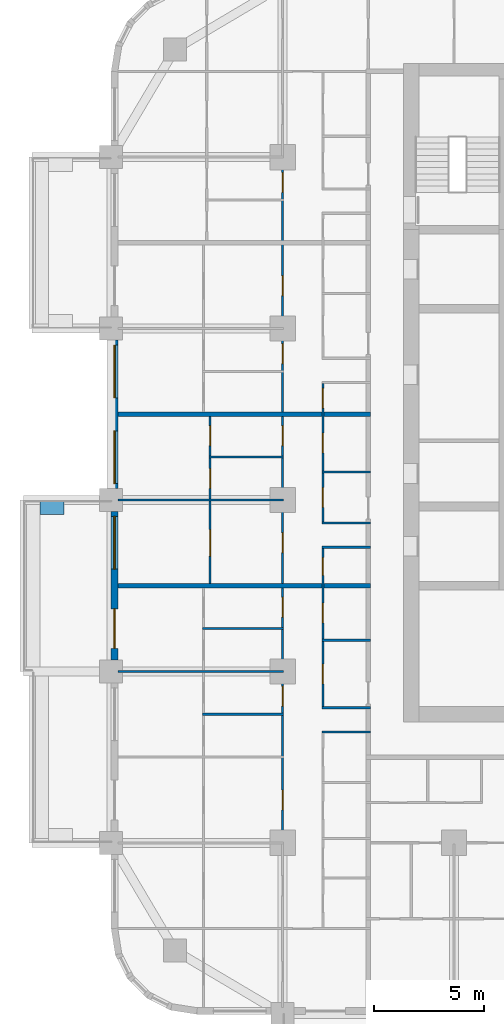
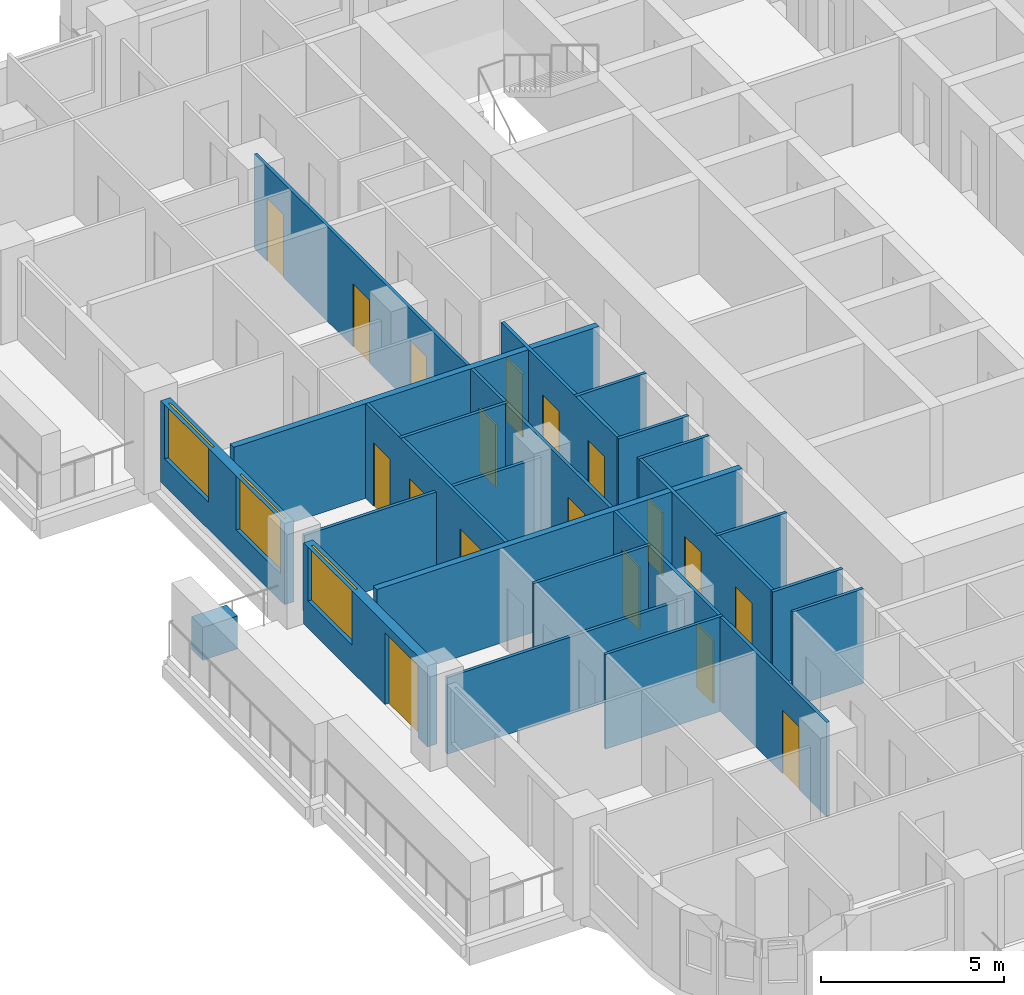
# One storey, part 5 of 17: 20 walls, 18 doors, 3 windows, 21 openings.
"""IFC4 building model written with IfcOpenShell, lengths in metres."""

from ifc_helpers import new_model, si_unit, direction, frame, frame_2d, origin, place, context, subcontext, project, spatial, rectangle, extrude, material, layer, layer_set, type_object, element, fill, save


model = new_model("IFC4")

# Units and contexts
model_context = context("Model", 3, precision=1e-05, world=origin(), true_north=direction((0.0, 1.0)))
body_context = subcontext(model_context, "Body", "Model", "MODEL_VIEW")
ifc_project = project(units=[si_unit("LENGTHUNIT", "METRE"), si_unit("AREAUNIT", "SQUARE_METRE"), si_unit("VOLUMEUNIT", "CUBIC_METRE"), si_unit("PLANEANGLEUNIT", "RADIAN"), si_unit("MASSUNIT", "GRAM", prefix="KILO")], contexts=[model_context])

# Site, building, storey
site_placement = place(None, origin())
site = spatial("IfcSite", under=ifc_project, at=site_placement, CompositionType="ELEMENT")
building_placement = place(site_placement, origin())
building = spatial("IfcBuilding", under=site, at=building_placement, Name="Ludao Terraces", CompositionType="ELEMENT")
storey_placement = place(building_placement, frame((0.0, 0.0, 19.5)))
storey = spatial("IfcBuildingStorey", under=building, at=storey_placement, Name="L04", CompositionType="ELEMENT", Elevation=19.5)

# Wall
ifc_material_1 = material(Name="Concrete C40", Category="concrete")
ifc_layer_1 = layer(ifc_material_1, 0.60009765625)
ifc_layer_set_1 = layer_set([ifc_layer_1], Name="ENV Planter trough 600")
wall_type_1 = type_object("IfcWallType", Name="ENV Planter trough 600", PredefinedType="USERDEFINED", material=ifc_layer_set_1)
wall_1_placement = place(storey_placement, frame((58.35009765625, 64.64990234375, 0.0), z_axis=(0.0, 0.0, 1.0), x_axis=(1.0, 0.0, 0.0)))
element("IfcWall", 1, at=wall_1_placement, inside=storey, type_object=wall_type_1, Name="PL-L04-W2-SB", ObjectType="PLANTER", PredefinedType="USERDEFINED", context=body_context, shape_type="SweptSolid", body=[
    extrude(rectangle(XDim=1.099853515625, YDim=0.60009765625, at=frame_2d((0.5498046875, 0.0))), origin(), (0.0, 0.0, 1.0), 1.10009765625),
])

# Wall, openings, door, window
ifc_material_2 = material(Name="Granite cladding", Category="masonry")
ifc_layer_2 = layer(ifc_material_2, 0.0400390625, Category="stone")
ifc_material_3 = material(Name="Mineral wool")
ifc_layer_3 = layer(ifc_material_3, 0.06005859375)
ifc_layer_4 = layer(ifc_material_1, 0.199951171875, Category="concrete")
ifc_layer_set_2 = layer_set([ifc_layer_2, ifc_layer_3, ifc_layer_4], Name="ENV Stone-clad wall 300")
wall_type_2 = type_object("IfcWallType", Name="ENV Stone-clad wall 300", PredefinedType="SOLIDWALL", material=ifc_layer_set_2)
wall_2_placement = place(storey_placement, frame((61.75, 57.72509765625, 0.0), z_axis=(0.0, 0.0, 1.0), x_axis=(0.0, 1.0, 0.0)))
wall_2 = element("IfcWall", 2, at=wall_2_placement, inside=storey, type_object=wall_type_2, Name="EW-L04-W3", PredefinedType="SOLIDWALL", context=body_context, shape_type="SweptSolid", body=[
    extrude(rectangle(XDim=6.75, YDim=0.300048828125, at=frame_2d((3.375, 0.0))), origin(), (0.0, 0.0, 1.0), 2.699951171875),
])
opening_1_placement = place(wall_2_placement, frame((0.52490234375, 0.0, 0.0)))
opening_1 = element("IfcOpeningElement", 3, at=opening_1_placement, cuts=wall_2, Name="Opening BD", PredefinedType="OPENING", context=body_context, shape_type="SweptSolid", body=[
    extrude(rectangle(XDim=1.800048828125, YDim=2.39990234375, at=frame_2d((0.89990234375, 1.199951171875))), frame((0.0, 0.16015625, 0.0), z_axis=(0.0, -1.0, 0.0), x_axis=(1.0, 0.0, 0.0)), (0.0, 0.0, 1.0), 0.320068359375),
])
opening_2_placement = place(wall_2_placement, frame((4.125, 0.0, 0.89990234375)))
opening_2 = element("IfcOpeningElement", 4, at=opening_2_placement, cuts=wall_2, Name="Opening W1", PredefinedType="OPENING", context=body_context, shape_type="SweptSolid", body=[
    extrude(rectangle(XDim=2.39990234375, YDim=1.800048828125, at=frame_2d((1.199951171875, 0.89990234375))), frame((0.0, 0.16015625, 0.0), z_axis=(0.0, -1.0, 0.0), x_axis=(1.0, 0.0, 0.0)), (0.0, 0.0, 1.0), 0.320068359375),
])
ifc_material_4 = material(Name="Aluminium glazed door", Category="aluminium")
ifc_layer_5 = layer(ifc_material_4, 0.06005859375)
ifc_layer_set_3 = layer_set([ifc_layer_5], Name="ENV Balcony door BD 1800x2400")
door_type_1 = type_object("IfcDoorType", Name="ENV Balcony door BD 1800x2400", OperationType="DOUBLE_DOOR_SINGLE_SWING", PredefinedType="DOOR", material=ifc_layer_set_3)
door_1_placement = place(opening_1_placement, origin())
door_1 = element("IfcDoor", 5, at=door_1_placement, inside=storey, type_object=door_type_1, Name="BD-L04-W3-1", OperationType="DOUBLE_DOOR_SINGLE_SWING", OverallHeight=2.39990234375, OverallWidth=1.800048828125, PredefinedType="DOOR", context=body_context, shape_type="SweptSolid", body=[
    extrude(rectangle(XDim=1.800048828125, YDim=2.39990234375, at=frame_2d((0.89990234375, 1.199951171875))), frame((0.0, 0.02490234375, 0.0), z_axis=(0.0, -1.0, 0.0), x_axis=(1.0, 0.0, 0.0)), (0.0, 0.0, 1.0), 0.050048828125),
])
fill(opening_1, door_1)
ifc_material_5 = material(Name="Clear glass in aluminium frame", Category="aluminium")
ifc_layer_6 = layer(ifc_material_5, 0.06005859375)
ifc_layer_set_4 = layer_set([ifc_layer_6], Name="ENV Window W1 2400x1800")
window_type = type_object("IfcWindowType", Name="ENV Window W1 2400x1800", PartitioningType="DOUBLE_PANEL_VERTICAL", PredefinedType="WINDOW", material=ifc_layer_set_4)
window_1_placement = place(opening_2_placement, origin())
window_1 = element("IfcWindow", 6, at=window_1_placement, inside=storey, type_object=window_type, Name="W-L04-W3-2", OverallHeight=1.800048828125, OverallWidth=2.39990234375, PartitioningType="DOUBLE_PANEL_VERTICAL", PredefinedType="WINDOW", context=body_context, shape_type="SweptSolid", body=[
    extrude(rectangle(XDim=2.39990234375, YDim=1.800048828125, at=frame_2d((1.199951171875, 0.89990234375))), frame((0.0, 0.030029296875, 0.0), z_axis=(0.0, -1.0, 0.0), x_axis=(1.0, 0.0, 0.0)), (0.0, 0.0, 1.0), 0.06005859375),
])
fill(opening_2, window_1)

# Wall, openings, windows
wall_3_placement = place(storey_placement, frame((61.75, 65.52490234375, 0.0), z_axis=(0.0, 0.0, 1.0), x_axis=(0.0, 1.0, 0.0)))
wall_3 = element("IfcWall", 7, at=wall_3_placement, inside=storey, type_object=wall_type_2, Name="EW-L04-W4", PredefinedType="SOLIDWALL", context=body_context, shape_type="SweptSolid", body=[
    extrude(rectangle(XDim=6.75, YDim=0.300048828125, at=frame_2d((3.375, 0.0))), origin(), (0.0, 0.0, 1.0), 2.699951171875),
])
opening_3_placement = place(wall_3_placement, frame((0.22509765625, 0.0, 0.89990234375)))
opening_3 = element("IfcOpeningElement", 8, at=opening_3_placement, cuts=wall_3, Name="Opening W1", PredefinedType="OPENING", context=body_context, shape_type="SweptSolid", body=[
    extrude(rectangle(XDim=2.39990234375, YDim=1.800048828125, at=frame_2d((1.199951171875, 0.89990234375))), frame((0.0, 0.16015625, 0.0), z_axis=(0.0, -1.0, 0.0), x_axis=(1.0, 0.0, 0.0)), (0.0, 0.0, 1.0), 0.320068359375),
])
opening_4_placement = place(wall_3_placement, frame((4.125, 0.0, 0.89990234375)))
opening_4 = element("IfcOpeningElement", 9, at=opening_4_placement, cuts=wall_3, Name="Opening W1", PredefinedType="OPENING", context=body_context, shape_type="SweptSolid", body=[
    extrude(rectangle(XDim=2.39990234375, YDim=1.800048828125, at=frame_2d((1.199951171875, 0.89990234375))), frame((0.0, 0.16015625, 0.0), z_axis=(0.0, -1.0, 0.0), x_axis=(1.0, 0.0, 0.0)), (0.0, 0.0, 1.0), 0.320068359375),
])
window_2_placement = place(opening_3_placement, origin())
window_2 = element("IfcWindow", 10, at=window_2_placement, inside=storey, type_object=window_type, Name="W-L04-W4-1", OverallHeight=1.800048828125, OverallWidth=2.39990234375, PartitioningType="DOUBLE_PANEL_VERTICAL", PredefinedType="WINDOW", context=body_context, shape_type="SweptSolid", body=[
    extrude(rectangle(XDim=2.39990234375, YDim=1.800048828125, at=frame_2d((1.199951171875, 0.89990234375))), frame((0.0, 0.030029296875, 0.0), z_axis=(0.0, -1.0, 0.0), x_axis=(1.0, 0.0, 0.0)), (0.0, 0.0, 1.0), 0.06005859375),
])
fill(opening_3, window_2)
window_3_placement = place(opening_4_placement, origin())
window_3 = element("IfcWindow", 11, at=window_3_placement, inside=storey, type_object=window_type, Name="W-L04-W4-2", OverallHeight=1.800048828125, OverallWidth=2.39990234375, PartitioningType="DOUBLE_PANEL_VERTICAL", PredefinedType="WINDOW", context=body_context, shape_type="SweptSolid", body=[
    extrude(rectangle(XDim=2.39990234375, YDim=1.800048828125, at=frame_2d((1.199951171875, 0.89990234375))), frame((0.0, 0.030029296875, 0.0), z_axis=(0.0, -1.0, 0.0), x_axis=(1.0, 0.0, 0.0)), (0.0, 0.0, 1.0), 0.06005859375),
])
fill(opening_4, window_3)

# Walls
ifc_material_6 = material(Name="Gypsum plasterboard", Category="gypsum")
ifc_layer_7 = layer(ifc_material_6, 0.012451171875, Category="gypsum")
ifc_layer_8 = layer(ifc_material_3, 0.06005859375, Name="insulation")
ifc_material_7 = material(Name="Steel Q235", Category="steel")
ifc_layer_9 = layer(ifc_material_7, 0.014892578125, Name="stud")
ifc_layer_10 = layer(ifc_material_6, 0.012451171875, Category="gypsum")
ifc_layer_set_5 = layer_set([ifc_layer_7, ifc_layer_8, ifc_layer_9, ifc_layer_10], Name="INT Partition 100")
wall_type_3 = type_object("IfcWallType", Name="INT Partition 100", PredefinedType="PARTITIONING", material=ifc_layer_set_5)
wall_4_placement = place(storey_placement, frame((71.18017578125, 54.449951171875, 0.0), z_axis=(0.0, 0.0, 1.0), x_axis=(1.0, 0.0, 0.0)))
element("IfcWall", 12, at=wall_4_placement, inside=storey, type_object=wall_type_3, Name="PW-L04-PW020", PredefinedType="PARTITIONING", context=body_context, shape_type="SweptSolid", body=[
    extrude(rectangle(XDim=2.219970703125, YDim=0.10009765625, at=frame_2d((1.10986328125, 0.0))), origin(), (0.0, 0.0, 1.0), 3.14990234375),
])
wall_5_placement = place(storey_placement, frame((65.75, 55.25, 0.0), z_axis=(0.0, 0.0, 1.0), x_axis=(1.0, 0.0, 0.0)))
element("IfcWall", 13, at=wall_5_placement, inside=storey, type_object=wall_type_3, Name="PW-L04-PW021", PredefinedType="PARTITIONING", context=body_context, shape_type="SweptSolid", body=[
    extrude(rectangle(XDim=3.7001953125, YDim=0.10009765625, at=frame_2d((1.85009765625, 0.0))), origin(), (0.0, 0.0, 1.0), 3.14990234375),
])
wall_6_placement = place(storey_placement, frame((71.18017578125, 55.550048828125, 0.0), z_axis=(0.0, 0.0, 1.0), x_axis=(1.0, 0.0, 0.0)))
element("IfcWall", 14, at=wall_6_placement, inside=storey, type_object=wall_type_3, Name="PW-L04-PW022", PredefinedType="PARTITIONING", context=body_context, shape_type="SweptSolid", body=[
    extrude(rectangle(XDim=2.219970703125, YDim=0.10009765625, at=frame_2d((1.10986328125, 0.0))), origin(), (0.0, 0.0, 1.0), 3.14990234375),
])
wall_7_placement = place(storey_placement, frame((61.900146484375, 57.199951171875, 0.0), z_axis=(0.0, 0.0, 1.0), x_axis=(1.0, 0.0, 0.0)))
element("IfcWall", 15, at=wall_7_placement, inside=storey, type_object=wall_type_3, Name="PW-L04-PW024", PredefinedType="PARTITIONING", context=body_context, shape_type="SweptSolid", body=[
    extrude(rectangle(XDim=7.550048828125, YDim=0.10009765625, at=frame_2d((3.77490234375, 0.0))), origin(), (0.0, 0.0, 1.0), 2.550048828125),
])
wall_8_placement = place(storey_placement, frame((71.18017578125, 58.6201171875, 0.0), z_axis=(0.0, 0.0, 1.0), x_axis=(1.0, 0.0, 0.0)))
element("IfcWall", 16, at=wall_8_placement, inside=storey, type_object=wall_type_3, Name="PW-L04-PW027", PredefinedType="PARTITIONING", context=body_context, shape_type="SweptSolid", body=[
    extrude(rectangle(XDim=2.219970703125, YDim=0.10009765625, at=frame_2d((1.10986328125, 0.0))), origin(), (0.0, 0.0, 1.0), 3.14990234375),
])
wall_9_placement = place(storey_placement, frame((65.75, 59.14990234375, 0.0), z_axis=(0.0, 0.0, 1.0), x_axis=(1.0, 0.0, 0.0)))
element("IfcWall", 17, at=wall_9_placement, inside=storey, type_object=wall_type_3, Name="PW-L04-PW029", PredefinedType="PARTITIONING", context=body_context, shape_type="SweptSolid", body=[
    extrude(rectangle(XDim=3.7001953125, YDim=0.10009765625, at=frame_2d((1.85009765625, 0.0))), origin(), (0.0, 0.0, 1.0), 3.14990234375),
])
for number, where, z_axis, x_axis, name in (
    (18, (71.18017578125, 62.85009765625, 0.0), (0.0, 0.0, 1.0), (1.0, 0.0, 0.0), "PW-L04-PW035"),
    (19, (71.18017578125, 63.949951171875, 0.0), (0.0, 0.0, 1.0), (1.0, 0.0, 0.0), "PW-L04-PW038"),
):
    element("IfcWall", number, at=place(storey_placement, frame(where, z_axis=z_axis, x_axis=x_axis)), inside=storey, type_object=wall_type_3, Name=name, PredefinedType="PARTITIONING", context=body_context, shape_type="SweptSolid", body=[
        extrude(rectangle(XDim=2.219970703125, YDim=0.10009765625, at=frame_2d((1.10986328125, 0.0))), origin(), (0.0, 0.0, 1.0), 3.14990234375),
    ])
wall_10_placement = place(storey_placement, frame((61.900146484375, 65.0, 0.0), z_axis=(0.0, 0.0, 1.0), x_axis=(1.0, 0.0, 0.0)))
element("IfcWall", 20, at=wall_10_placement, inside=storey, type_object=wall_type_3, Name="PW-L04-PW039", PredefinedType="PARTITIONING", context=body_context, shape_type="SweptSolid", body=[
    extrude(rectangle(XDim=7.550048828125, YDim=0.10009765625, at=frame_2d((3.77490234375, 0.0))), origin(), (0.0, 0.0, 1.0), 2.550048828125),
])
wall_11_placement = place(storey_placement, frame((71.18017578125, 66.280029296875, 0.0), z_axis=(0.0, 0.0, 1.0), x_axis=(1.0, 0.0, 0.0)))
element("IfcWall", 21, at=wall_11_placement, inside=storey, type_object=wall_type_3, Name="PW-L04-PW042", PredefinedType="PARTITIONING", context=body_context, shape_type="SweptSolid", body=[
    extrude(rectangle(XDim=2.219970703125, YDim=0.10009765625, at=frame_2d((1.10986328125, 0.0))), origin(), (0.0, 0.0, 1.0), 3.14990234375),
])
wall_12_placement = place(storey_placement, frame((66.050048828125, 66.949951171875, 0.0), z_axis=(0.0, 0.0, 1.0), x_axis=(1.0, 0.0, 0.0)))
element("IfcWall", 22, at=wall_12_placement, inside=storey, type_object=wall_type_3, Name="PW-L04-PW043", PredefinedType="PARTITIONING", context=body_context, shape_type="SweptSolid", body=[
    extrude(rectangle(XDim=3.400146484375, YDim=0.10009765625, at=frame_2d((1.7001953125, 0.0))), origin(), (0.0, 0.0, 1.0), 3.14990234375),
])

# Wall, openings, doors
wall_13_placement = place(storey_placement, frame((66.10009765625, 61.2001953125, 0.0), z_axis=(0.0, 0.0, 1.0), x_axis=(0.0, 1.0, 0.0)))
wall_13 = element("IfcWall", 23, at=wall_13_placement, inside=storey, type_object=wall_type_3, Name="PW-L04-PW076", PredefinedType="PARTITIONING", context=body_context, shape_type="SweptSolid", body=[
    extrude(rectangle(XDim=7.599853515625, YDim=0.10009765625, at=frame_2d((3.7998046875, 0.0))), origin(), (0.0, 0.0, 1.0), 3.14990234375),
])
opening_5_placement = place(wall_13_placement, frame((1.25, 0.0, 0.0)))
opening_5 = element("IfcOpeningElement", 24, at=opening_5_placement, cuts=wall_13, Name="Opening R01-076", PredefinedType="OPENING", context=body_context, shape_type="SweptSolid", body=[
    extrude(rectangle(XDim=1.199951171875, YDim=2.10009765625, at=frame_2d((0.60009765625, 1.050048828125))), frame((0.0, 0.06005859375, 0.0), z_axis=(0.0, -1.0, 0.0), x_axis=(1.0, 0.0, 0.0)), (0.0, 0.0, 1.0), 0.1201171875),
])
opening_6_placement = place(wall_13_placement, frame((4.324951171875, 0.0, 0.0)))
opening_6 = element("IfcOpeningElement", 25, at=opening_6_placement, cuts=wall_13, Name="Opening R01-086", PredefinedType="OPENING", context=body_context, shape_type="SweptSolid", body=[
    extrude(rectangle(XDim=0.89990234375, YDim=2.10009765625, at=frame_2d((0.449951171875, 1.050048828125))), frame((0.0, 0.06005859375, 0.0), z_axis=(0.0, -1.0, 0.0), x_axis=(1.0, 0.0, 0.0)), (0.0, 0.0, 1.0), 0.1201171875),
])
opening_7_placement = place(wall_13_placement, frame((6.27490234375, 0.0, 0.0)))
opening_7 = element("IfcOpeningElement", 26, at=opening_7_placement, cuts=wall_13, Name="Opening R01-093", PredefinedType="OPENING", context=body_context, shape_type="SweptSolid", body=[
    extrude(rectangle(XDim=0.89990234375, YDim=2.10009765625, at=frame_2d((0.449951171875, 1.050048828125))), frame((0.0, 0.06005859375, 0.0), z_axis=(0.0, -1.0, 0.0), x_axis=(1.0, 0.0, 0.0)), (0.0, 0.0, 1.0), 0.1201171875),
])
ifc_material_8 = material(Name="Timber door leaf", Category="wood")
door_type_2 = type_object("IfcDoorType", Name="INT Bathroom door 900", OperationType="SINGLE_SWING_LEFT", PredefinedType="DOOR", material=ifc_material_8)
door_2_placement = place(opening_6_placement, origin())
door_2 = element("IfcDoor", 27, at=door_2_placement, inside=storey, type_object=door_type_2, Name="DOOR 086", OperationType="SINGLE_SWING_RIGHT", OverallHeight=2.10009765625, OverallWidth=0.89990234375, PredefinedType="DOOR", context=body_context, shape_type="SweptSolid", body=[
    extrude(rectangle(XDim=0.89990234375, YDim=2.10009765625, at=frame_2d((0.449951171875, 1.050048828125))), frame((0.0, 0.02490234375, 0.0), z_axis=(0.0, -1.0, 0.0), x_axis=(1.0, 0.0, 0.0)), (0.0, 0.0, 1.0), 0.050048828125),
])
fill(opening_6, door_2)
door_type_3 = type_object("IfcDoorType", Name="INT Double door 1200", OperationType="DOUBLE_DOOR_SINGLE_SWING", PredefinedType="DOOR", material=ifc_material_8)
door_3_placement = place(opening_5_placement, origin())
door_3 = element("IfcDoor", 28, at=door_3_placement, inside=storey, type_object=door_type_3, Name="DOOR 076", OperationType="DOUBLE_DOOR_SINGLE_SWING", OverallHeight=2.10009765625, OverallWidth=1.199951171875, PredefinedType="DOOR", context=body_context, shape_type="SweptSolid", body=[
    extrude(rectangle(XDim=1.199951171875, YDim=2.10009765625, at=frame_2d((0.60009765625, 1.050048828125))), frame((0.0, 0.02490234375, 0.0), z_axis=(0.0, -1.0, 0.0), x_axis=(1.0, 0.0, 0.0)), (0.0, 0.0, 1.0), 0.050048828125),
])
fill(opening_5, door_3)
door_type_4 = type_object("IfcDoorType", Name="INT Room door 900", OperationType="SINGLE_SWING_LEFT", PredefinedType="DOOR", material=ifc_material_8)
door_4_placement = place(opening_7_placement, origin())
door_4 = element("IfcDoor", 29, at=door_4_placement, inside=storey, type_object=door_type_4, Name="DOOR 093", OperationType="SINGLE_SWING_LEFT", OverallHeight=2.10009765625, OverallWidth=0.89990234375, PredefinedType="DOOR", context=body_context, shape_type="SweptSolid", body=[
    extrude(rectangle(XDim=0.89990234375, YDim=2.10009765625, at=frame_2d((0.449951171875, 1.050048828125))), frame((0.0, 0.02490234375, 0.0), z_axis=(0.0, -1.0, 0.0), x_axis=(1.0, 0.0, 0.0)), (0.0, 0.0, 1.0), 0.050048828125),
])
fill(opening_7, door_4)

wall_14_placement = place(storey_placement, frame((69.39990234375, 49.39990234375, 0.0), z_axis=(0.0, 0.0, 1.0), x_axis=(0.0, 1.0, 0.0)))
wall_14 = element("IfcWall", 30, at=wall_14_placement, inside=storey, type_object=wall_type_3, Name="PW-L04-PW077-2", PredefinedType="PARTITIONING", context=body_context, shape_type="SweptSolid", body=[
    extrude(rectangle(XDim=31.2001953125, YDim=0.10009765625, at=frame_2d((15.60009765625, 0.0))), origin(), (0.0, 0.0, 1.0), 3.14990234375),
])
opening_8_placement = place(wall_14_placement, frame((1.500244140625, 0.0, 0.0)))
opening_8 = element("IfcOpeningElement", 31, at=opening_8_placement, cuts=wall_14, Name="Opening R01-042", PredefinedType="OPENING", context=body_context, shape_type="SweptSolid", body=[
    extrude(rectangle(XDim=0.89990234375, YDim=2.10009765625, at=frame_2d((0.449951171875, 1.050048828125))), frame((0.0, 0.06005859375, 0.0), z_axis=(0.0, -1.0, 0.0), x_axis=(1.0, 0.0, 0.0)), (0.0, 0.0, 1.0), 0.1201171875),
])
opening_9_placement = place(wall_14_placement, frame((6.22509765625, 0.0, 0.0)))
opening_9 = element("IfcOpeningElement", 32, at=opening_9_placement, cuts=wall_14, Name="Opening R01-054", PredefinedType="OPENING", context=body_context, shape_type="SweptSolid", body=[
    extrude(rectangle(XDim=0.89990234375, YDim=2.10009765625, at=frame_2d((0.449951171875, 1.050048828125))), frame((0.0, 0.06005859375, 0.0), z_axis=(0.0, -1.0, 0.0), x_axis=(1.0, 0.0, 0.0)), (0.0, 0.0, 1.0), 0.1201171875),
])
opening_10_placement = place(wall_14_placement, frame((10.275146484375, 0.0, 0.0)))
opening_10 = element("IfcOpeningElement", 33, at=opening_10_placement, cuts=wall_14, Name="Opening R01-067", PredefinedType="OPENING", context=body_context, shape_type="SweptSolid", body=[
    extrude(rectangle(XDim=0.89990234375, YDim=2.10009765625, at=frame_2d((0.449951171875, 1.050048828125))), frame((0.0, 0.06005859375, 0.0), z_axis=(0.0, -1.0, 0.0), x_axis=(1.0, 0.0, 0.0)), (0.0, 0.0, 1.0), 0.1201171875),
])
opening_11_placement = place(wall_14_placement, frame((13.2001953125, 0.0, 0.0)))
opening_11 = element("IfcOpeningElement", 34, at=opening_11_placement, cuts=wall_14, Name="Opening R01-077", PredefinedType="OPENING", context=body_context, shape_type="SweptSolid", body=[
    extrude(rectangle(XDim=0.89990234375, YDim=2.10009765625, at=frame_2d((0.449951171875, 1.050048828125))), frame((0.0, 0.06005859375, 0.0), z_axis=(0.0, -1.0, 0.0), x_axis=(1.0, 0.0, 0.0)), (0.0, 0.0, 1.0), 0.1201171875),
])
opening_12_placement = place(wall_14_placement, frame((18.0751953125, 0.0, 0.0)))
opening_12 = element("IfcOpeningElement", 35, at=opening_12_placement, cuts=wall_14, Name="Opening R01-094", PredefinedType="OPENING", context=body_context, shape_type="SweptSolid", body=[
    extrude(rectangle(XDim=0.89990234375, YDim=2.10009765625, at=frame_2d((0.449951171875, 1.050048828125))), frame((0.0, 0.06005859375, 0.0), z_axis=(0.0, -1.0, 0.0), x_axis=(1.0, 0.0, 0.0)), (0.0, 0.0, 1.0), 0.1201171875),
])
opening_13_placement = place(wall_14_placement, frame((21.80029296875, 0.0, 0.0)))
opening_13 = element("IfcOpeningElement", 36, at=opening_13_placement, cuts=wall_14, Name="Opening R01-102", PredefinedType="OPENING", context=body_context, shape_type="SweptSolid", body=[
    extrude(rectangle(XDim=0.89990234375, YDim=2.10009765625, at=frame_2d((0.449951171875, 1.050048828125))), frame((0.0, 0.06005859375, 0.0), z_axis=(0.0, -1.0, 0.0), x_axis=(1.0, 0.0, 0.0)), (0.0, 0.0, 1.0), 0.1201171875),
])
opening_14_placement = place(wall_14_placement, frame((24.900146484375, 0.0, 0.0)))
opening_14 = element("IfcOpeningElement", 37, at=opening_14_placement, cuts=wall_14, Name="Opening R01-112", PredefinedType="OPENING", context=body_context, shape_type="SweptSolid", body=[
    extrude(rectangle(XDim=0.89990234375, YDim=2.10009765625, at=frame_2d((0.449951171875, 1.050048828125))), frame((0.0, 0.06005859375, 0.0), z_axis=(0.0, -1.0, 0.0), x_axis=(1.0, 0.0, 0.0)), (0.0, 0.0, 1.0), 0.1201171875),
])
opening_15_placement = place(wall_14_placement, frame((29.60009765625, 0.0, 0.0)))
opening_15 = element("IfcOpeningElement", 38, at=opening_15_placement, cuts=wall_14, Name="Opening R01-131", PredefinedType="OPENING", context=body_context, shape_type="SweptSolid", body=[
    extrude(rectangle(XDim=0.89990234375, YDim=2.10009765625, at=frame_2d((0.449951171875, 1.050048828125))), frame((0.0, 0.06005859375, 0.0), z_axis=(0.0, -1.0, 0.0), x_axis=(1.0, 0.0, 0.0)), (0.0, 0.0, 1.0), 0.1201171875),
])
door_5_placement = place(opening_8_placement, origin())
door_5 = element("IfcDoor", 39, at=door_5_placement, inside=storey, type_object=door_type_4, Name="DOOR 042", OperationType="SINGLE_SWING_LEFT", OverallHeight=2.10009765625, OverallWidth=0.89990234375, PredefinedType="DOOR", context=body_context, shape_type="SweptSolid", body=[
    extrude(rectangle(XDim=0.89990234375, YDim=2.10009765625, at=frame_2d((0.449951171875, 1.050048828125))), frame((0.0, 0.02490234375, 0.0), z_axis=(0.0, -1.0, 0.0), x_axis=(1.0, 0.0, 0.0)), (0.0, 0.0, 1.0), 0.050048828125),
])
fill(opening_8, door_5)
door_6_placement = place(opening_9_placement, origin())
door_6 = element("IfcDoor", 40, at=door_6_placement, inside=storey, type_object=door_type_4, Name="DOOR 054", OperationType="SINGLE_SWING_LEFT", OverallHeight=2.10009765625, OverallWidth=0.89990234375, PredefinedType="DOOR", context=body_context, shape_type="SweptSolid", body=[
    extrude(rectangle(XDim=0.89990234375, YDim=2.10009765625, at=frame_2d((0.449951171875, 1.050048828125))), frame((0.0, 0.02490234375, 0.0), z_axis=(0.0, -1.0, 0.0), x_axis=(1.0, 0.0, 0.0)), (0.0, 0.0, 1.0), 0.050048828125),
])
fill(opening_9, door_6)
door_7_placement = place(opening_10_placement, origin())
door_7 = element("IfcDoor", 41, at=door_7_placement, inside=storey, type_object=door_type_4, Name="DOOR 067", OperationType="SINGLE_SWING_RIGHT", OverallHeight=2.10009765625, OverallWidth=0.89990234375, PredefinedType="DOOR", context=body_context, shape_type="SweptSolid", body=[
    extrude(rectangle(XDim=0.89990234375, YDim=2.10009765625, at=frame_2d((0.449951171875, 1.050048828125))), frame((0.0, 0.02490234375, 0.0), z_axis=(0.0, -1.0, 0.0), x_axis=(1.0, 0.0, 0.0)), (0.0, 0.0, 1.0), 0.050048828125),
])
fill(opening_10, door_7)
door_8_placement = place(opening_11_placement, origin())
door_8 = element("IfcDoor", 42, at=door_8_placement, inside=storey, type_object=door_type_4, Name="DOOR 077", OperationType="SINGLE_SWING_LEFT", OverallHeight=2.10009765625, OverallWidth=0.89990234375, PredefinedType="DOOR", context=body_context, shape_type="SweptSolid", body=[
    extrude(rectangle(XDim=0.89990234375, YDim=2.10009765625, at=frame_2d((0.449951171875, 1.050048828125))), frame((0.0, 0.02490234375, 0.0), z_axis=(0.0, -1.0, 0.0), x_axis=(1.0, 0.0, 0.0)), (0.0, 0.0, 1.0), 0.050048828125),
])
fill(opening_11, door_8)
door_9_placement = place(opening_12_placement, origin())
door_9 = element("IfcDoor", 43, at=door_9_placement, inside=storey, type_object=door_type_4, Name="DOOR 094", OperationType="SINGLE_SWING_RIGHT", OverallHeight=2.10009765625, OverallWidth=0.89990234375, PredefinedType="DOOR", context=body_context, shape_type="SweptSolid", body=[
    extrude(rectangle(XDim=0.89990234375, YDim=2.10009765625, at=frame_2d((0.449951171875, 1.050048828125))), frame((0.0, 0.02490234375, 0.0), z_axis=(0.0, -1.0, 0.0), x_axis=(1.0, 0.0, 0.0)), (0.0, 0.0, 1.0), 0.050048828125),
])
fill(opening_12, door_9)
door_10_placement = place(opening_13_placement, origin())
door_10 = element("IfcDoor", 44, at=door_10_placement, inside=storey, type_object=door_type_4, Name="DOOR 102", OperationType="SINGLE_SWING_LEFT", OverallHeight=2.10009765625, OverallWidth=0.89990234375, PredefinedType="DOOR", context=body_context, shape_type="SweptSolid", body=[
    extrude(rectangle(XDim=0.89990234375, YDim=2.10009765625, at=frame_2d((0.449951171875, 1.050048828125))), frame((0.0, 0.02490234375, 0.0), z_axis=(0.0, -1.0, 0.0), x_axis=(1.0, 0.0, 0.0)), (0.0, 0.0, 1.0), 0.050048828125),
])
fill(opening_13, door_10)
door_11_placement = place(opening_14_placement, origin())
door_11 = element("IfcDoor", 45, at=door_11_placement, inside=storey, type_object=door_type_4, Name="DOOR 112", OperationType="SINGLE_SWING_LEFT", OverallHeight=2.10009765625, OverallWidth=0.89990234375, PredefinedType="DOOR", context=body_context, shape_type="SweptSolid", body=[
    extrude(rectangle(XDim=0.89990234375, YDim=2.10009765625, at=frame_2d((0.449951171875, 1.050048828125))), frame((0.0, 0.02490234375, 0.0), z_axis=(0.0, -1.0, 0.0), x_axis=(1.0, 0.0, 0.0)), (0.0, 0.0, 1.0), 0.050048828125),
])
fill(opening_14, door_11)
door_12_placement = place(opening_15_placement, origin())
door_12 = element("IfcDoor", 46, at=door_12_placement, inside=storey, type_object=door_type_4, Name="DOOR 131", OperationType="SINGLE_SWING_LEFT", OverallHeight=2.10009765625, OverallWidth=0.89990234375, PredefinedType="DOOR", context=body_context, shape_type="SweptSolid", body=[
    extrude(rectangle(XDim=0.89990234375, YDim=2.10009765625, at=frame_2d((0.449951171875, 1.050048828125))), frame((0.0, 0.02490234375, 0.0), z_axis=(0.0, -1.0, 0.0), x_axis=(1.0, 0.0, 0.0)), (0.0, 0.0, 1.0), 0.050048828125),
])
fill(opening_15, door_12)

wall_15_placement = place(storey_placement, frame((71.22998046875, 55.60009765625, 0.0), z_axis=(0.0, 0.0, 1.0), x_axis=(0.0, 1.0, 0.0)))
wall_15 = element("IfcWall", 47, at=wall_15_placement, inside=storey, type_object=wall_type_3, Name="PW-L04-PW079", PredefinedType="PARTITIONING", context=body_context, shape_type="SweptSolid", body=[
    extrude(rectangle(XDim=7.199951171875, YDim=0.10009765625, at=frame_2d((3.60009765625, 0.0))), origin(), (0.0, 0.0, 1.0), 3.14990234375),
])
opening_16_placement = place(wall_15_placement, frame((1.034912109375, 0.0, 0.0)))
opening_16 = element("IfcOpeningElement", 48, at=opening_16_placement, cuts=wall_15, Name="Opening R01-059", PredefinedType="OPENING", context=body_context, shape_type="SweptSolid", body=[
    extrude(rectangle(XDim=0.89990234375, YDim=2.10009765625, at=frame_2d((0.449951171875, 1.050048828125))), frame((0.0, 0.06005859375, 0.0), z_axis=(0.0, -1.0, 0.0), x_axis=(1.0, 0.0, 0.0)), (0.0, 0.0, 1.0), 0.1201171875),
])
opening_17_placement = place(wall_15_placement, frame((3.81005859375, 0.0, 0.0)))
opening_17 = element("IfcOpeningElement", 49, at=opening_17_placement, cuts=wall_15, Name="Opening R01-064", PredefinedType="OPENING", context=body_context, shape_type="SweptSolid", body=[
    extrude(rectangle(XDim=0.89990234375, YDim=2.10009765625, at=frame_2d((0.449951171875, 1.050048828125))), frame((0.0, 0.06005859375, 0.0), z_axis=(0.0, -1.0, 0.0), x_axis=(1.0, 0.0, 0.0)), (0.0, 0.0, 1.0), 0.1201171875),
])
opening_18_placement = place(wall_15_placement, frame((5.97509765625, 0.0, 0.0)))
opening_18 = element("IfcOpeningElement", 50, at=opening_18_placement, cuts=wall_15, Name="Opening R01-072", PredefinedType="OPENING", context=body_context, shape_type="SweptSolid", body=[
    extrude(rectangle(XDim=0.800048828125, YDim=2.10009765625, at=frame_2d((0.39990234375, 1.050048828125))), frame((0.0, 0.06005859375, 0.0), z_axis=(0.0, -1.0, 0.0), x_axis=(1.0, 0.0, 0.0)), (0.0, 0.0, 1.0), 0.1201171875),
])
door_13_placement = place(opening_17_placement, origin())
door_13 = element("IfcDoor", 51, at=door_13_placement, inside=storey, type_object=door_type_2, Name="DOOR 064", OperationType="SINGLE_SWING_LEFT", OverallHeight=2.10009765625, OverallWidth=0.89990234375, PredefinedType="DOOR", context=body_context, shape_type="SweptSolid", body=[
    extrude(rectangle(XDim=0.89990234375, YDim=2.10009765625, at=frame_2d((0.449951171875, 1.050048828125))), frame((0.0, 0.02490234375, 0.0), z_axis=(0.0, -1.0, 0.0), x_axis=(1.0, 0.0, 0.0)), (0.0, 0.0, 1.0), 0.050048828125),
])
fill(opening_17, door_13)
door_14_placement = place(opening_16_placement, origin())
door_14 = element("IfcDoor", 52, at=door_14_placement, inside=storey, type_object=door_type_4, Name="DOOR 059", OperationType="SINGLE_SWING_LEFT", OverallHeight=2.10009765625, OverallWidth=0.89990234375, PredefinedType="DOOR", context=body_context, shape_type="SweptSolid", body=[
    extrude(rectangle(XDim=0.89990234375, YDim=2.10009765625, at=frame_2d((0.449951171875, 1.050048828125))), frame((0.0, 0.02490234375, 0.0), z_axis=(0.0, -1.0, 0.0), x_axis=(1.0, 0.0, 0.0)), (0.0, 0.0, 1.0), 0.050048828125),
])
fill(opening_16, door_14)
door_type_5 = type_object("IfcDoorType", Name="INT Store door 800", OperationType="SINGLE_SWING_LEFT", PredefinedType="DOOR", material=ifc_material_8)
door_15_placement = place(opening_18_placement, origin())
door_15 = element("IfcDoor", 53, at=door_15_placement, inside=storey, type_object=door_type_5, Name="DOOR 072", OperationType="SINGLE_SWING_RIGHT", OverallHeight=2.10009765625, OverallWidth=0.800048828125, PredefinedType="DOOR", context=body_context, shape_type="SweptSolid", body=[
    extrude(rectangle(XDim=0.800048828125, YDim=2.10009765625, at=frame_2d((0.39990234375, 1.050048828125))), frame((0.0, 0.02490234375, 0.0), z_axis=(0.0, -1.0, 0.0), x_axis=(1.0, 0.0, 0.0)), (0.0, 0.0, 1.0), 0.050048828125),
])
fill(opening_18, door_15)

wall_16_placement = place(storey_placement, frame((71.22998046875, 64.0, 0.0), z_axis=(0.0, 0.0, 1.0), x_axis=(0.0, 1.0, 0.0)))
wall_16 = element("IfcWall", 54, at=wall_16_placement, inside=storey, type_object=wall_type_3, Name="PW-L04-PW080", PredefinedType="PARTITIONING", context=body_context, shape_type="SweptSolid", body=[
    extrude(rectangle(XDim=6.300048828125, YDim=0.10009765625, at=frame_2d((3.14990234375, 0.0))), origin(), (0.0, 0.0, 1.0), 3.14990234375),
])
opening_19_placement = place(wall_16_placement, frame((0.6650390625, 0.0, 0.0)))
opening_19 = element("IfcOpeningElement", 55, at=opening_19_placement, cuts=wall_16, Name="Opening R01-085", PredefinedType="OPENING", context=body_context, shape_type="SweptSolid", body=[
    extrude(rectangle(XDim=0.89990234375, YDim=2.10009765625, at=frame_2d((0.449951171875, 1.050048828125))), frame((0.0, 0.06005859375, 0.0), z_axis=(0.0, -1.0, 0.0), x_axis=(1.0, 0.0, 0.0)), (0.0, 0.0, 1.0), 0.1201171875),
])
opening_20_placement = place(wall_16_placement, frame((3.14013671875, 0.0, 0.0)))
opening_20 = element("IfcOpeningElement", 56, at=opening_20_placement, cuts=wall_16, Name="Opening R01-090", PredefinedType="OPENING", context=body_context, shape_type="SweptSolid", body=[
    extrude(rectangle(XDim=0.89990234375, YDim=2.10009765625, at=frame_2d((0.449951171875, 1.050048828125))), frame((0.0, 0.06005859375, 0.0), z_axis=(0.0, -1.0, 0.0), x_axis=(1.0, 0.0, 0.0)), (0.0, 0.0, 1.0), 0.1201171875),
])
opening_21_placement = place(wall_16_placement, frame((5.175048828125, 0.0, 0.0)))
opening_21 = element("IfcOpeningElement", 57, at=opening_21_placement, cuts=wall_16, Name="Opening R01-096", PredefinedType="OPENING", context=body_context, shape_type="SweptSolid", body=[
    extrude(rectangle(XDim=0.89990234375, YDim=2.10009765625, at=frame_2d((0.449951171875, 1.050048828125))), frame((0.0, 0.06005859375, 0.0), z_axis=(0.0, -1.0, 0.0), x_axis=(1.0, 0.0, 0.0)), (0.0, 0.0, 1.0), 0.1201171875),
])
door_16_placement = place(opening_19_placement, origin())
door_16 = element("IfcDoor", 58, at=door_16_placement, inside=storey, type_object=door_type_2, Name="DOOR 085", OperationType="SINGLE_SWING_LEFT", OverallHeight=2.10009765625, OverallWidth=0.89990234375, PredefinedType="DOOR", context=body_context, shape_type="SweptSolid", body=[
    extrude(rectangle(XDim=0.89990234375, YDim=2.10009765625, at=frame_2d((0.449951171875, 1.050048828125))), frame((0.0, 0.02490234375, 0.0), z_axis=(0.0, -1.0, 0.0), x_axis=(1.0, 0.0, 0.0)), (0.0, 0.0, 1.0), 0.050048828125),
])
fill(opening_19, door_16)
door_17_placement = place(opening_21_placement, origin())
door_17 = element("IfcDoor", 59, at=door_17_placement, inside=storey, type_object=door_type_2, Name="DOOR 096", OperationType="SINGLE_SWING_RIGHT", OverallHeight=2.10009765625, OverallWidth=0.89990234375, PredefinedType="DOOR", context=body_context, shape_type="SweptSolid", body=[
    extrude(rectangle(XDim=0.89990234375, YDim=2.10009765625, at=frame_2d((0.449951171875, 1.050048828125))), frame((0.0, 0.02490234375, 0.0), z_axis=(0.0, -1.0, 0.0), x_axis=(1.0, 0.0, 0.0)), (0.0, 0.0, 1.0), 0.050048828125),
])
fill(opening_21, door_17)
door_18_placement = place(opening_20_placement, origin())
door_18 = element("IfcDoor", 60, at=door_18_placement, inside=storey, type_object=door_type_4, Name="DOOR 090", OperationType="SINGLE_SWING_LEFT", OverallHeight=2.10009765625, OverallWidth=0.89990234375, PredefinedType="DOOR", context=body_context, shape_type="SweptSolid", body=[
    extrude(rectangle(XDim=0.89990234375, YDim=2.10009765625, at=frame_2d((0.449951171875, 1.050048828125))), frame((0.0, 0.02490234375, 0.0), z_axis=(0.0, -1.0, 0.0), x_axis=(1.0, 0.0, 0.0)), (0.0, 0.0, 1.0), 0.050048828125),
])
fill(opening_20, door_18)

# Walls
ifc_material_9 = material(Name="Autoclaved aerated concrete block B06 A3.5", Category="concrete")
ifc_layer_11 = layer(ifc_material_9, 0.199951171875)
ifc_layer_set_6 = layer_set([ifc_layer_11], Name="INT Party wall 200")
wall_type_4 = type_object("IfcWallType", Name="INT Party wall 200", PredefinedType="PARTITIONING", material=ifc_layer_set_6)
for number, where, z_axis, x_axis, name in (
    (61, (61.900146484375, 61.10009765625, 0.0), (0.0, 0.0, 1.0), (1.0, 0.0, 0.0), "PW-L04-PW031"),
    (62, (61.900146484375, 68.89990234375, 0.0), (0.0, 0.0, 1.0), (1.0, 0.0, 0.0), "PW-L04-PW045"),
):
    element("IfcWall", number, at=place(storey_placement, frame(where, z_axis=z_axis, x_axis=x_axis)), inside=storey, type_object=wall_type_4, Name=name, PredefinedType="PARTITIONING", context=body_context, shape_type="SweptSolid", body=[
        extrude(rectangle(XDim=11.5, YDim=0.199951171875, at=frame_2d((5.75, 0.0))), origin(), (0.0, 0.0, 1.0), 3.14990234375),
    ])

save(model, "model.ifc")
